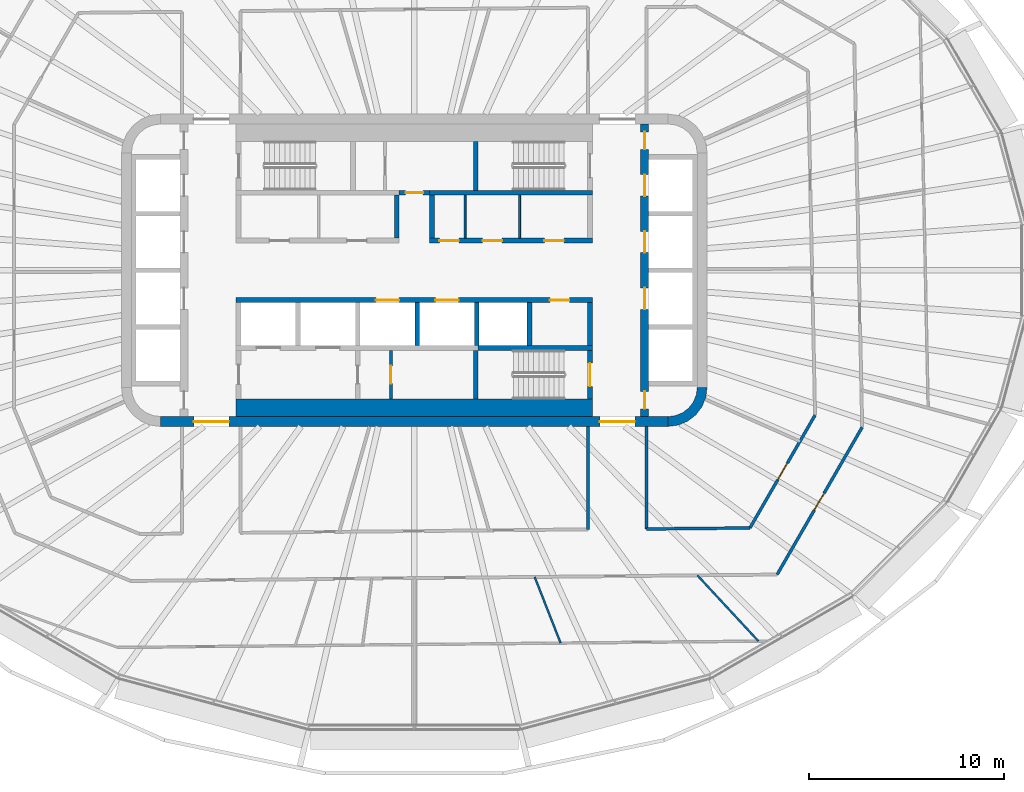
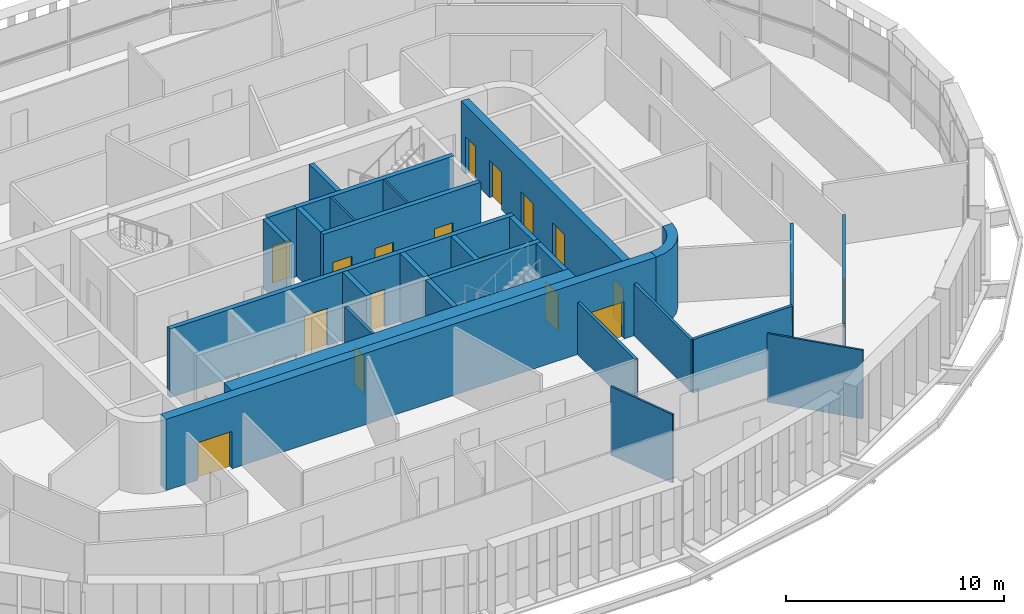
# One storey, part 13 of 23: 28 walls, 18 doors, 18 openings.
"""IFC4 building model written with IfcOpenShell, lengths in metres."""

import ifcopenshell
import ifcopenshell.guid

model = None  # the IFC model being written
_history = None  # IfcOwnerHistory: only IFC2X3 demands one
_inside = {}  # id of a spatial element -> (the spatial element, [elements in it])
_under = {}  # id of a project, library or spatial element -> (it, [spatial elements below it])
_declared = {}  # id of a project -> (the project, [libraries it declares])
_typed = {}  # id of a type object -> (the type object, [elements of that type])
_made_of = {}  # id of a material, layer set ... -> (it, [elements and type objects made of it])


def new_model(schema):
    """Start an empty IFC model of exactly this schema.

    Asked for "IFC4X3", IfcOpenShell would pick the latest addendum, in which some entities
    have other attributes; the version numbers below select the first issue.
    IFC2X3 requires an IfcOwnerHistory on every rooted entity: one is made here for all.
    """
    global model, _history
    if schema == "IFC4X3":
        model = ifcopenshell.file(schema_version=(4, 3, 0, 0))
    else:
        model = ifcopenshell.file(schema=schema)
    _inside.clear()
    _under.clear()
    _declared.clear()
    _typed.clear()
    _made_of.clear()
    _history = None
    if model.schema == "IFC2X3":
        org = make("IfcOrganization", Name="unknown")
        user = make(
            "IfcPersonAndOrganization",
            ThePerson=make("IfcPerson", FamilyName="unknown"),
            TheOrganization=org,
        )
        app = make(
            "IfcApplication",
            ApplicationDeveloper=org,
            Version="unknown",
            ApplicationFullName="unknown",
            ApplicationIdentifier="unknown",
        )
        _history = make(
            "IfcOwnerHistory",
            OwningUser=user,
            OwningApplication=app,
            ChangeAction="ADDED",
            CreationDate=0,
        )
    return model


def make(cls, **values):
    """One entity of the class cls with the attributes given. An attribute that is None is left unset."""
    return model.create_entity(
        cls, **{name: value for name, value in values.items() if value is not None}
    )


def rooted(cls, **values):
    """An entity with a GlobalId (a new one), such as an element, a storey or a relation."""
    return make(cls, GlobalId=ifcopenshell.guid.new(), OwnerHistory=_history, **values)


def si_unit(unit_type, name, prefix=None):
    """IfcSIUnit, for example si_unit("LENGTHUNIT", "METRE", prefix="MILLI")."""
    return make("IfcSIUnit", UnitType=unit_type, Prefix=prefix, Name=name)


def assignment(units):
    """IfcUnitAssignment: the units of a project."""
    return None if units is None else make("IfcUnitAssignment", Units=units)


def point(xyz):
    """IfcCartesianPoint."""
    return None if xyz is None else make("IfcCartesianPoint", Coordinates=xyz)


def direction(xyz):
    """IfcDirection."""
    return None if xyz is None else make("IfcDirection", DirectionRatios=xyz)


def frame(location, z_axis=None, x_axis=None):
    """IfcAxis2Placement3D, a coordinate frame: its origin and axes. An axis left out is left unset."""
    return make(
        "IfcAxis2Placement3D",
        Location=point(location),
        Axis=direction(z_axis),
        RefDirection=direction(x_axis),
    )


def frame_2d(location, x_axis=None):
    """IfcAxis2Placement2D, a coordinate frame in the plane: its origin and x axis."""
    return make(
        "IfcAxis2Placement2D", Location=point(location), RefDirection=direction(x_axis)
    )


def origin():
    """The frame at (0, 0, 0) with its axes left unset."""
    return frame((0.0, 0.0, 0.0))


def place(relative_to, where):
    """IfcLocalPlacement: puts the frame where relative to a parent placement (None: the world)."""
    return make(
        "IfcLocalPlacement", PlacementRelTo=relative_to, RelativePlacement=where
    )


def context(
    kind, dimensions, precision=None, world=None, true_north=None, identifier=None
):
    """IfcGeometricRepresentationContext, for example the 3D "Model" context."""
    return make(
        "IfcGeometricRepresentationContext",
        ContextIdentifier=identifier,
        ContextType=kind,
        CoordinateSpaceDimension=dimensions,
        Precision=precision,
        WorldCoordinateSystem=world,
        TrueNorth=true_north,
    )


def subcontext(parent, identifier, kind, view, scale=None):
    """IfcGeometricRepresentationSubContext, for example "Body" below "Model"."""
    return make(
        "IfcGeometricRepresentationSubContext",
        ContextIdentifier=identifier,
        ContextType=kind,
        ParentContext=parent,
        TargetScale=scale,
        TargetView=view,
    )


def project(units=None, contexts=None):
    """IfcProject with its units and contexts."""
    return rooted(
        "IfcProject",
        Name="project",
        RepresentationContexts=contexts,
        UnitsInContext=assignment(units),
    )


def spatial(cls, under=None, at=None, **own):
    """A site, building, storey or space (cls), placed at a placement, below another one or the project."""
    s = rooted(cls, ObjectPlacement=at, **own)
    if under is not None:
        _under.setdefault(under.id(), (under, []))[1].append(s)
    return s


def polyline(points):
    """IfcPolyline through the points."""
    return make("IfcPolyline", Points=[point(p) for p in points])


def profile(cls, at=None, kind="AREA", **sizes):
    """A parametric profile (cls). Its sizes go by their IFC names, for example OverallWidth=200.0."""
    return make(cls, ProfileType=kind, Position=at, **sizes)


def rectangle(**sizes):
    """IfcRectangleProfileDef."""
    return profile("IfcRectangleProfileDef", **sizes)


def outline(outer, holes=None, kind="AREA"):
    """IfcArbitraryClosedProfileDef: a profile drawn as a closed curve; with holes, ...WithVoids."""
    if holes is None:
        return make("IfcArbitraryClosedProfileDef", ProfileType=kind, OuterCurve=outer)
    return make(
        "IfcArbitraryProfileDefWithVoids",
        ProfileType=kind,
        OuterCurve=outer,
        InnerCurves=holes,
    )


def extrude(swept, where, along, depth):
    """IfcExtrudedAreaSolid: the profile swept, set in the frame where, extruded along a direction by depth."""
    return make(
        "IfcExtrudedAreaSolid",
        SweptArea=swept,
        Position=where,
        ExtrudedDirection=direction(along),
        Depth=depth,
    )


def shape(context_of_items, identifier, shape_type, items):
    """IfcShapeRepresentation: the items that make up one representation, for example the "Body"."""
    return make(
        "IfcShapeRepresentation",
        ContextOfItems=context_of_items,
        RepresentationIdentifier=identifier,
        RepresentationType=shape_type,
        Items=items,
    )


def material(Name=None, Category=None):
    """IfcMaterial."""
    return make("IfcMaterial", Name=Name, Category=Category)


def layer(
    of_material, thickness, ventilated=None, Name=None, Category=None, Priority=None
):
    """IfcMaterialLayer: one layer of a wall or slab, of a material (None: an air gap)."""
    return make(
        "IfcMaterialLayer",
        Material=of_material,
        LayerThickness=thickness,
        IsVentilated=ventilated,
        Name=Name,
        Category=Category,
        Priority=Priority,
    )


def layer_set(layers, Name=None):
    """IfcMaterialLayerSet."""
    return make("IfcMaterialLayerSet", MaterialLayers=layers, LayerSetName=Name)


def made_of(thing, what):
    """Note that an element or type object is made of a material, layer set ...; save() writes the relation."""
    if what is not None:
        _made_of.setdefault(what.id(), (what, []))[1].append(thing)
    return thing


def type_object(cls, material=None, **own):
    """A type object (cls), such as IfcWallType, which elements share."""
    return made_of(rooted(cls, **own), material)


def element(
    cls,
    number,
    at=None,
    inside=None,
    cuts=None,
    type_object=None,
    material=None,
    context=None,
    identifier="Body",
    shape_type=None,
    held_by="IfcProductDefinitionShape",
    body=None,
    shapes=None,
    **own,
):
    """One element of the class cls, such as IfcWall. Its Tag is "e" and its number.

    at: its placement. inside: the storey or other place that contains it. cuts: it is an
    opening in that element (IfcRelVoidsElement). A single representation is given by context,
    identifier, shape_type and body (its items); several are given by shapes. held_by: the class
    of the entity that holds the representations. save() writes the other relations.
    """
    e = rooted(cls, Tag="e%d" % number, ObjectPlacement=at, **own)
    if body is not None:
        shapes = [shape(context, identifier, shape_type, body)]
    if shapes is not None:
        e.Representation = make(held_by, Representations=shapes)
    if inside is not None:
        _inside.setdefault(inside.id(), (inside, []))[1].append(e)
    if cuts is not None:
        rooted(
            "IfcRelVoidsElement", RelatingBuildingElement=cuts, RelatedOpeningElement=e
        )
    if type_object is not None:
        _typed.setdefault(type_object.id(), (type_object, []))[1].append(e)
    return made_of(e, material)


def fill(opening, filler):
    """IfcRelFillsElement: the door or window that sits in an opening."""
    return rooted(
        "IfcRelFillsElement",
        RelatingOpeningElement=opening,
        RelatedBuildingElement=filler,
    )


def aggregate(whole, parts):
    """IfcRelAggregates: a whole, such as a stair, and the parts it consists of."""
    return rooted("IfcRelAggregates", RelatingObject=whole, RelatedObjects=parts)


def save(model, path):
    """Write the relations noted so far, then the file.

    IfcRelAggregates (storeys below a building ...), IfcRelContainedInSpatialStructure (elements
    in a storey), IfcRelDefinesByType, IfcRelAssociatesMaterial and IfcRelDeclares: one each for
    every whole, place, type object, material and project.
    """
    for whole, parts in _under.values():
        aggregate(whole, parts)
    for where, things in _inside.values():
        rooted(
            "IfcRelContainedInSpatialStructure",
            RelatedElements=things,
            RelatingStructure=where,
        )
    for kind, things in _typed.values():
        rooted("IfcRelDefinesByType", RelatedObjects=things, RelatingType=kind)
    for what, things in _made_of.values():
        rooted("IfcRelAssociatesMaterial", RelatedObjects=things, RelatingMaterial=what)
    for by, libraries in _declared.values():
        rooted("IfcRelDeclares", RelatingContext=by, RelatedDefinitions=libraries)
    model.write(path)


model = new_model("IFC4")

# Units and contexts
model_context = context("Model", 3, precision=1e-05, world=origin(), true_north=direction((0.0, 1.0)))
body_context = subcontext(model_context, "Body", "Model", "MODEL_VIEW")
ifc_project = project(units=[si_unit("LENGTHUNIT", "METRE"), si_unit("AREAUNIT", "SQUARE_METRE"), si_unit("VOLUMEUNIT", "CUBIC_METRE"), si_unit("PLANEANGLEUNIT", "RADIAN"), si_unit("MASSUNIT", "GRAM", prefix="KILO")], contexts=[model_context])

# Site, building, storey
site_placement = place(None, origin())
site = spatial("IfcSite", under=ifc_project, at=site_placement, CompositionType="ELEMENT")
building_placement = place(site_placement, origin())
building = spatial("IfcBuilding", under=site, at=building_placement, Name="Sahrelin Media Tower", CompositionType="ELEMENT")
storey_placement = place(building_placement, frame((0.0, 0.0, 157.60009765625)))
storey = spatial("IfcBuildingStorey", under=building, at=storey_placement, Name="L32", CompositionType="ELEMENT", Elevation=157.60009765625)

# Wall, openings, doors
ifc_material_1 = material(Name="Concrete C60/75", Category="concrete")
ifc_layer_1 = layer(ifc_material_1, 0.5)
ifc_layer_set_1 = layer_set([ifc_layer_1], Name="Core wall 500")
wall_type_1 = type_object("IfcWallType", Name="Core wall 500", PredefinedType="SHEAR", material=ifc_layer_set_1)
wall_1_placement = place(storey_placement, frame((-13.0, -7.75, 0.0), z_axis=(0.0, 0.0, 1.0), x_axis=(1.0, 0.0, 0.0)))
wall_1 = element("IfcWall", 1, at=wall_1_placement, inside=storey, type_object=wall_type_1, Name="Core wall S L32", PredefinedType="SHEAR", context=body_context, shape_type="SweptSolid", body=[
    extrude(rectangle(XDim=26.0, YDim=0.5, at=frame_2d((13.0, 0.0))), origin(), (0.0, 0.0, 1.0), 4.0),
])
opening_1_placement = place(wall_1_placement, frame((1.699951171875, 0.0, 0.0)))
opening_1 = element("IfcOpeningElement", 2, at=opening_1_placement, cuts=wall_1, Name="Opening L32-D21", PredefinedType="OPENING", context=body_context, shape_type="SweptSolid", body=[
    extrude(rectangle(XDim=1.800048828125, YDim=2.10009765625, at=frame_2d((0.89990234375, 1.050048828125))), frame((0.0, 0.25, 0.0), z_axis=(0.0, -1.0, 0.0), x_axis=(1.0, 0.0, 0.0)), (0.0, 0.0, 1.0), 0.5),
])
opening_2_placement = place(wall_1_placement, frame((22.5, 0.0, 0.0)))
opening_2 = element("IfcOpeningElement", 3, at=opening_2_placement, cuts=wall_1, Name="Opening L32-D22", PredefinedType="OPENING", context=body_context, shape_type="SweptSolid", body=[
    extrude(rectangle(XDim=1.800048828125, YDim=2.10009765625, at=frame_2d((0.89990234375, 1.050048828125))), frame((0.0, 0.25, 0.0), z_axis=(0.0, -1.0, 0.0), x_axis=(1.0, 0.0, 0.0)), (0.0, 0.0, 1.0), 0.5),
])
ifc_material_2 = material(Name="Steel fire door leaf", Category="steel")
door_type_1 = type_object("IfcDoorType", Name="Lobby double door 1800 x 2100 EI 60", OperationType="DOUBLE_DOOR_SINGLE_SWING", PredefinedType="DOOR", material=ifc_material_2)
door_1_placement = place(opening_1_placement, origin())
door_1 = element("IfcDoor", 4, at=door_1_placement, inside=storey, type_object=door_type_1, Name="Lobby door", OperationType="DOUBLE_DOOR_SINGLE_SWING", OverallHeight=2.10009765625, OverallWidth=1.800048828125, PredefinedType="DOOR", context=body_context, shape_type="SweptSolid", body=[
    extrude(rectangle(XDim=1.800048828125, YDim=2.10009765625, at=frame_2d((0.89990234375, 1.050048828125))), frame((0.0, 0.02490234375, 0.0), z_axis=(0.0, -1.0, 0.0), x_axis=(1.0, 0.0, 0.0)), (0.0, 0.0, 1.0), 0.050048828125),
])
fill(opening_1, door_1)
door_2_placement = place(opening_2_placement, origin())
door_2 = element("IfcDoor", 5, at=door_2_placement, inside=storey, type_object=door_type_1, Name="Lobby door", OperationType="DOUBLE_DOOR_SINGLE_SWING", OverallHeight=2.10009765625, OverallWidth=1.800048828125, PredefinedType="DOOR", context=body_context, shape_type="SweptSolid", body=[
    extrude(rectangle(XDim=1.800048828125, YDim=2.10009765625, at=frame_2d((0.89990234375, 1.050048828125))), frame((0.0, 0.02490234375, 0.0), z_axis=(0.0, -1.0, 0.0), x_axis=(1.0, 0.0, 0.0)), (0.0, 0.0, 1.0), 0.050048828125),
])
fill(opening_2, door_2)

# Wall
wall_2_placement = place(storey_placement, origin())
element("IfcWall", 6, at=wall_2_placement, inside=storey, type_object=wall_type_1, Name="Core wall corner SE L32", PredefinedType="SHEAR", context=body_context, shape_type="SweptSolid", body=[
    extrude(outline(polyline([(15.0, -6.0), (14.49560546875, -6.0), (14.44482421875, -6.38720703125), (14.29541015625, -6.747802734375), (14.0576171875, -7.0576171875), (13.747802734375, -7.29541015625), (13.38720703125, -7.44482421875), (13.0, -7.49560546875), (13.0, -8.0), (13.517578125, -7.931884765625), (14.0, -7.732177734375), (14.414306640625, -7.414306640625), (14.732177734375, -7.0), (14.931884765625, -6.517578125), (15.0, -6.0)])), origin(), (0.0, 0.0, 1.0), 4.0),
])

# Wall, opening, door
ifc_material_3 = material(Name="Fire-rated gypsum board partition")
ifc_layer_2 = layer(ifc_material_3, 0.25)
ifc_layer_set_2 = layer_set([ifc_layer_2], Name="Fire-rated lobby wall 250")
wall_type_2 = type_object("IfcWallType", Name="Fire-rated lobby wall 250", PredefinedType="PARTITIONING", material=ifc_layer_set_2)
wall_3_placement = place(storey_placement, frame((-0.77490234375, 3.97509765625, 0.0), z_axis=(0.0, 0.0, 1.0), x_axis=(1.0, 0.0, 0.0)))
wall_3 = element("IfcWall", 7, at=wall_3_placement, inside=storey, type_object=wall_type_2, Name="Core lobby wall", PredefinedType="PARTITIONING", context=body_context, shape_type="SweptSolid", body=[
    extrude(rectangle(XDim=1.5498046875, YDim=0.25, at=frame_2d((0.77490234375, 0.0))), origin(), (0.0, 0.0, 1.0), 3.849853515625),
])
opening_3_placement = place(wall_3_placement, frame((0.324951171875, 0.0, 0.0)))
opening_3 = element("IfcOpeningElement", 8, at=opening_3_placement, cuts=wall_3, Name="Opening L32-D06", PredefinedType="OPENING", context=body_context, shape_type="SweptSolid", body=[
    extrude(rectangle(XDim=0.89990234375, YDim=2.10009765625, at=frame_2d((0.449951171875, 1.050048828125))), frame((0.0, 0.125, 0.0), z_axis=(0.0, -1.0, 0.0), x_axis=(1.0, 0.0, 0.0)), (0.0, 0.0, 1.0), 0.25),
])
door_type_2 = type_object("IfcDoorType", Name="Riser door 900 x 2100 EI 120", OperationType="NOTDEFINED", PredefinedType="DOOR", material=ifc_material_2)
door_3_placement = place(opening_3_placement, origin())
door_3 = element("IfcDoor", 9, at=door_3_placement, inside=storey, type_object=door_type_2, Name="Core room door", OperationType="SINGLE_SWING_LEFT", OverallHeight=2.10009765625, OverallWidth=0.89990234375, PredefinedType="DOOR", context=body_context, shape_type="SweptSolid", body=[
    extrude(rectangle(XDim=0.89990234375, YDim=2.10009765625, at=frame_2d((0.449951171875, 1.050048828125))), frame((0.0, 0.02490234375, 0.0), z_axis=(0.0, -1.0, 0.0), x_axis=(1.0, 0.0, 0.0)), (0.0, 0.0, 1.0), 0.050048828125),
])
fill(opening_3, door_3)

# Wall, openings, doors
wall_4_placement = place(storey_placement, frame((0.77490234375, 1.52490234375, 0.0), z_axis=(0.0, 0.0, 1.0), x_axis=(1.0, 0.0, 0.0)))
wall_4 = element("IfcWall", 10, at=wall_4_placement, inside=storey, type_object=wall_type_2, Name="Core lobby wall", PredefinedType="PARTITIONING", context=body_context, shape_type="SweptSolid", body=[
    extrude(rectangle(XDim=8.35009765625, YDim=0.25, at=frame_2d((4.175048828125, 0.0))), origin(), (0.0, 0.0, 1.0), 3.849853515625),
])
opening_4_placement = place(wall_4_placement, frame((0.512451171875, 0.0, 0.0)))
opening_4 = element("IfcOpeningElement", 11, at=opening_4_placement, cuts=wall_4, Name="Opening L32-D11", PredefinedType="OPENING", context=body_context, shape_type="SweptSolid", body=[
    extrude(rectangle(XDim=1.0, YDim=2.10009765625, at=frame_2d((0.5, 1.050048828125))), frame((0.0, 0.125, 0.0), z_axis=(0.0, -1.0, 0.0), x_axis=(1.0, 0.0, 0.0)), (0.0, 0.0, 1.0), 0.25),
])
opening_5_placement = place(wall_4_placement, frame((2.72509765625, 0.0, 0.0)))
opening_5 = element("IfcOpeningElement", 12, at=opening_5_placement, cuts=wall_4, Name="Opening L32-D12", PredefinedType="OPENING", context=body_context, shape_type="SweptSolid", body=[
    extrude(rectangle(XDim=1.0, YDim=2.10009765625, at=frame_2d((0.5, 1.050048828125))), frame((0.0, 0.125, 0.0), z_axis=(0.0, -1.0, 0.0), x_axis=(1.0, 0.0, 0.0)), (0.0, 0.0, 1.0), 0.25),
])
opening_6_placement = place(wall_4_placement, frame((5.887451171875, 0.0, 0.0)))
opening_6 = element("IfcOpeningElement", 13, at=opening_6_placement, cuts=wall_4, Name="Opening L32-D13", PredefinedType="OPENING", context=body_context, shape_type="SweptSolid", body=[
    extrude(rectangle(XDim=1.0, YDim=2.10009765625, at=frame_2d((0.5, 1.050048828125))), frame((0.0, 0.125, 0.0), z_axis=(0.0, -1.0, 0.0), x_axis=(1.0, 0.0, 0.0)), (0.0, 0.0, 1.0), 0.25),
])
door_type_3 = type_object("IfcDoorType", Name="Fire door 1000 x 2100 EI 60", OperationType="NOTDEFINED", PredefinedType="DOOR", material=ifc_material_2)
door_4_placement = place(opening_4_placement, origin())
door_4 = element("IfcDoor", 14, at=door_4_placement, inside=storey, type_object=door_type_3, Name="Core room door", OperationType="SINGLE_SWING_LEFT", OverallHeight=2.10009765625, OverallWidth=1.0, PredefinedType="DOOR", context=body_context, shape_type="SweptSolid", body=[
    extrude(rectangle(XDim=1.0, YDim=2.10009765625, at=frame_2d((0.5, 1.050048828125))), frame((0.0, 0.02490234375, 0.0), z_axis=(0.0, -1.0, 0.0), x_axis=(1.0, 0.0, 0.0)), (0.0, 0.0, 1.0), 0.050048828125),
])
fill(opening_4, door_4)
door_5_placement = place(opening_5_placement, origin())
door_5 = element("IfcDoor", 15, at=door_5_placement, inside=storey, type_object=door_type_3, Name="Core room door", OperationType="SINGLE_SWING_LEFT", OverallHeight=2.10009765625, OverallWidth=1.0, PredefinedType="DOOR", context=body_context, shape_type="SweptSolid", body=[
    extrude(rectangle(XDim=1.0, YDim=2.10009765625, at=frame_2d((0.5, 1.050048828125))), frame((0.0, 0.02490234375, 0.0), z_axis=(0.0, -1.0, 0.0), x_axis=(1.0, 0.0, 0.0)), (0.0, 0.0, 1.0), 0.050048828125),
])
fill(opening_5, door_5)
door_6_placement = place(opening_6_placement, origin())
door_6 = element("IfcDoor", 16, at=door_6_placement, inside=storey, type_object=door_type_3, Name="Core room door", OperationType="SINGLE_SWING_LEFT", OverallHeight=2.10009765625, OverallWidth=1.0, PredefinedType="DOOR", context=body_context, shape_type="SweptSolid", body=[
    extrude(rectangle(XDim=1.0, YDim=2.10009765625, at=frame_2d((0.5, 1.050048828125))), frame((0.0, 0.02490234375, 0.0), z_axis=(0.0, -1.0, 0.0), x_axis=(1.0, 0.0, 0.0)), (0.0, 0.0, 1.0), 0.050048828125),
])
fill(opening_6, door_6)

# Walls
for number, where, z_axis, x_axis, name in (
    (17, (-0.89990234375, 1.64990234375, 0.0), (0.0, 0.0, 1.0), (0.0, 1.0, 0.0), "Core lobby wall"),
    (18, (0.89990234375, 1.64990234375, 0.0), (0.0, 0.0, 1.0), (0.0, 1.0, 0.0), "Core lobby wall"),
):
    element("IfcWall", number, at=place(storey_placement, frame(where, z_axis=z_axis, x_axis=x_axis)), inside=storey, type_object=wall_type_2, Name=name, PredefinedType="PARTITIONING", context=body_context, shape_type="SweptSolid", body=[
        extrude(rectangle(XDim=2.2001953125, YDim=0.25, at=frame_2d((1.10009765625, 0.0))), origin(), (0.0, 0.0, 1.0), 3.849853515625),
    ])
ifc_layer_3 = layer(ifc_material_3, 0.10009765625)
ifc_layer_set_3 = layer_set([ifc_layer_3], Name="Fire-rated partition 100")
wall_type_3 = type_object("IfcWallType", Name="Fire-rated partition 100", PredefinedType="PARTITIONING", material=ifc_layer_set_3)
for number, where, z_axis, x_axis, name in (
    (19, (2.60009765625, 1.64990234375, 0.0), (0.0, 0.0, 1.0), (0.0, 1.0, 0.0), "Core room partition"),
    (20, (5.39990234375, 1.64990234375, 0.0), (0.0, 0.0, 1.0), (0.0, 1.0, 0.0), "Core room partition"),
):
    element("IfcWall", number, at=place(storey_placement, frame(where, z_axis=z_axis, x_axis=x_axis)), inside=storey, type_object=wall_type_3, Name=name, PredefinedType="PARTITIONING", context=body_context, shape_type="SweptSolid", body=[
        extrude(rectangle(XDim=2.2001953125, YDim=0.10009765625, at=frame_2d((1.10009765625, 0.0))), origin(), (0.0, 0.0, 1.0), 3.849853515625),
    ])

# Wall, opening, door
ifc_layer_4 = layer(ifc_material_3, 0.14990234375)
ifc_layer_set_4 = layer_set([ifc_layer_4], Name="Fire-rated partition 150")
wall_type_4 = type_object("IfcWallType", Name="Fire-rated partition 150", PredefinedType="PARTITIONING", material=ifc_layer_set_4)
wall_5_placement = place(storey_placement, frame((-1.199951171875, -6.60009765625, 0.0), z_axis=(0.0, 0.0, 1.0), x_axis=(0.0, 1.0, 0.0)))
wall_5 = element("IfcWall", 21, at=wall_5_placement, inside=storey, type_object=wall_type_4, Name="Core room fire partition", PredefinedType="PARTITIONING", context=body_context, shape_type="SweptSolid", body=[
    extrude(rectangle(XDim=2.5, YDim=0.14990234375, at=frame_2d((1.25, 0.0))), origin(), (0.0, 0.0, 1.0), 3.849853515625),
])
opening_7_placement = place(wall_5_placement, frame((0.800048828125, 0.0, 0.0)))
opening_7 = element("IfcOpeningElement", 22, at=opening_7_placement, cuts=wall_5, Name="Opening L32-D08", PredefinedType="OPENING", context=body_context, shape_type="SweptSolid", body=[
    extrude(rectangle(XDim=0.89990234375, YDim=2.10009765625, at=frame_2d((0.449951171875, 1.050048828125))), frame((0.0, 0.074951171875, 0.0), z_axis=(0.0, -1.0, 0.0), x_axis=(1.0, 0.0, 0.0)), (0.0, 0.0, 1.0), 0.14990234375),
])
door_type_4 = type_object("IfcDoorType", Name="Fire door 900 x 2100 EI 60", OperationType="NOTDEFINED", PredefinedType="DOOR", material=ifc_material_2)
door_7_placement = place(opening_7_placement, origin())
door_7 = element("IfcDoor", 23, at=door_7_placement, inside=storey, type_object=door_type_4, Name="Core room door", OperationType="SINGLE_SWING_RIGHT", OverallHeight=2.10009765625, OverallWidth=0.89990234375, PredefinedType="DOOR", context=body_context, shape_type="SweptSolid", body=[
    extrude(rectangle(XDim=0.89990234375, YDim=2.10009765625, at=frame_2d((0.449951171875, 1.050048828125))), frame((0.0, 0.02490234375, 0.0), z_axis=(0.0, -1.0, 0.0), x_axis=(1.0, 0.0, 0.0)), (0.0, 0.0, 1.0), 0.050048828125),
])
fill(opening_7, door_7)

# Wall
wall_6_placement = place(storey_placement, frame((11.89990234375, -13.2529296875, 0.0), z_axis=(0.0, 0.0, 1.0), x_axis=(0.999950853109, 0.009914200296, 0.0)))
element("IfcWall", 24, at=wall_6_placement, inside=storey, type_object=wall_type_4, Name="Wall", PredefinedType="PARTITIONING", context=body_context, shape_type="SweptSolid", body=[
    extrude(rectangle(XDim=5.29443359375, YDim=0.14990234375, at=frame_2d((2.647216796875, 0.0))), origin(), (0.0, 0.0, 1.0), 2.994873046875),
])

# Wall, opening, door
wall_7_placement = place(storey_placement, frame((18.5869140625, -15.5869140625, 0.0), z_axis=(0.0, 0.0, 1.0), x_axis=(0.500005419212, 0.866022274979, 0.0)))
wall_7 = element("IfcWall", 25, at=wall_7_placement, inside=storey, type_object=wall_type_4, Name="Wall", PredefinedType="PARTITIONING", context=body_context, shape_type="SweptSolid", body=[
    extrude(rectangle(XDim=8.71337890625, YDim=0.14990234375, at=frame_2d((4.356689453125, 0.0))), origin(), (0.0, 0.0, 1.0), 2.927001953125),
])
opening_8_placement = place(wall_7_placement, frame((3.8076171875, 0.0, 0.0)))
opening_8 = element("IfcOpeningElement", 26, at=opening_8_placement, cuts=wall_7, Name="Opening L32-D51", PredefinedType="OPENING", context=body_context, shape_type="SweptSolid", body=[
    extrude(rectangle(XDim=1.0, YDim=2.10009765625, at=frame_2d((0.5, 1.050048828125))), frame((0.0, 0.074951171875, 0.0), z_axis=(0.0, -1.0, 0.0), x_axis=(1.0, 0.0, 0.0)), (0.0, 0.0, 1.0), 0.14990234375),
])
door_8_placement = place(opening_8_placement, origin())
door_8 = element("IfcDoor", 27, at=door_8_placement, inside=storey, type_object=door_type_3, Name="Fire door", OperationType="SINGLE_SWING_LEFT", OverallHeight=2.10009765625, OverallWidth=1.0, PredefinedType="DOOR", context=body_context, shape_type="SweptSolid", body=[
    extrude(rectangle(XDim=1.0, YDim=2.10009765625, at=frame_2d((0.5, 1.050048828125))), frame((0.0, 0.02490234375, 0.0), z_axis=(0.0, -1.0, 0.0), x_axis=(1.0, 0.0, 0.0)), (0.0, 0.0, 1.0), 0.050048828125),
])
fill(opening_8, door_8)

wall_8_placement = place(storey_placement, frame((17.194091796875, -13.200927734375, 0.0), z_axis=(0.0, 0.0, 1.0), x_axis=(0.499983182885, 0.866035112932, 0.0)))
wall_8 = element("IfcWall", 28, at=wall_8_placement, inside=storey, type_object=wall_type_4, Name="Wall", PredefinedType="PARTITIONING", context=body_context, shape_type="SweptSolid", body=[
    extrude(rectangle(XDim=6.673583984375, YDim=0.14990234375, at=frame_2d((3.3369140625, 0.0))), origin(), (0.0, 0.0, 1.0), 2.927001953125),
])
opening_9_placement = place(wall_8_placement, frame((2.833740234375, 0.0, 0.0)))
opening_9 = element("IfcOpeningElement", 29, at=opening_9_placement, cuts=wall_8, Name="Opening L32-D26", PredefinedType="OPENING", context=body_context, shape_type="SweptSolid", body=[
    extrude(rectangle(XDim=1.0, YDim=2.10009765625, at=frame_2d((0.5, 1.050048828125))), frame((0.0, 0.074951171875, 0.0), z_axis=(0.0, -1.0, 0.0), x_axis=(1.0, 0.0, 0.0)), (0.0, 0.0, 1.0), 0.14990234375),
])
door_9_placement = place(opening_9_placement, origin())
door_9 = element("IfcDoor", 30, at=door_9_placement, inside=storey, type_object=door_type_3, Name="Fire door", OperationType="SINGLE_SWING_LEFT", OverallHeight=2.10009765625, OverallWidth=1.0, PredefinedType="DOOR", context=body_context, shape_type="SweptSolid", body=[
    extrude(rectangle(XDim=1.0, YDim=2.10009765625, at=frame_2d((0.5, 1.050048828125))), frame((0.0, 0.02490234375, 0.0), z_axis=(0.0, -1.0, 0.0), x_axis=(1.0, 0.0, 0.0)), (0.0, 0.0, 1.0), 0.050048828125),
])
fill(opening_9, door_9)

# Walls
wall_9_placement = place(storey_placement, frame((11.89990234375, -13.2529296875, 0.0), z_axis=(0.0, 0.0, 1.0), x_axis=(0.0, 1.0, 0.0)))
element("IfcWall", 31, at=wall_9_placement, inside=storey, type_object=wall_type_4, Name="Wall", PredefinedType="PARTITIONING", context=body_context, shape_type="SweptSolid", body=[
    extrude(rectangle(XDim=5.2529296875, YDim=0.14990234375, at=frame_2d((2.62646484375, 0.0))), origin(), (0.0, 0.0, 1.0), 2.927001953125),
])
wall_10_placement = place(storey_placement, frame((8.89990234375, -13.282958984375, 0.0), z_axis=(0.0, 0.0, 1.0), x_axis=(0.0, 1.0, 0.0)))
element("IfcWall", 32, at=wall_10_placement, inside=storey, type_object=wall_type_4, Name="Wall", PredefinedType="PARTITIONING", context=body_context, shape_type="SweptSolid", body=[
    extrude(rectangle(XDim=5.282958984375, YDim=0.14990234375, at=frame_2d((2.6416015625, 0.0))), origin(), (0.0, 0.0, 1.0), 2.927001953125),
])

# Wall, openings, doors
ifc_layer_5 = layer(ifc_material_1, 0.25)
ifc_layer_set_5 = layer_set([ifc_layer_5], Name="Lift shaft wall 250")
wall_type_5 = type_object("IfcWallType", Name="Lift shaft wall 250", PredefinedType="SOLIDWALL", material=ifc_layer_set_5)
wall_11_placement = place(storey_placement, frame((-9.125, -1.52490234375, 0.0), z_axis=(0.0, 0.0, 1.0), x_axis=(1.0, 0.0, 0.0)))
wall_11 = element("IfcWall", 33, at=wall_11_placement, inside=storey, type_object=wall_type_5, Name="Lift shaft wall", PredefinedType="SOLIDWALL", context=body_context, shape_type="SweptSolid", body=[
    extrude(rectangle(XDim=18.25, YDim=0.25, at=frame_2d((9.125, 0.0))), origin(), (0.0, 0.0, 1.0), 3.849853515625),
])
opening_10_placement = place(wall_11_placement, frame((7.14990234375, 0.0, 0.0)))
opening_10 = element("IfcOpeningElement", 34, at=opening_10_placement, cuts=wall_11, Name="Opening L32-LD-SV1", PredefinedType="OPENING", context=body_context, shape_type="SweptSolid", body=[
    extrude(rectangle(XDim=1.199951171875, YDim=2.10009765625, at=frame_2d((0.60009765625, 1.050048828125))), frame((0.0, 0.125, 0.0), z_axis=(0.0, -1.0, 0.0), x_axis=(1.0, 0.0, 0.0)), (0.0, 0.0, 1.0), 0.25),
])
opening_11_placement = place(wall_11_placement, frame((10.199951171875, 0.0, 0.0)))
opening_11 = element("IfcOpeningElement", 35, at=opening_11_placement, cuts=wall_11, Name="Opening L32-LD-SV2", PredefinedType="OPENING", context=body_context, shape_type="SweptSolid", body=[
    extrude(rectangle(XDim=1.199951171875, YDim=2.10009765625, at=frame_2d((0.60009765625, 1.050048828125))), frame((0.0, 0.125, 0.0), z_axis=(0.0, -1.0, 0.0), x_axis=(1.0, 0.0, 0.0)), (0.0, 0.0, 1.0), 0.25),
])
opening_12_placement = place(wall_11_placement, frame((16.074951171875, 0.0, 0.0)))
opening_12 = element("IfcOpeningElement", 36, at=opening_12_placement, cuts=wall_11, Name="Opening L32-D14", PredefinedType="OPENING", context=body_context, shape_type="SweptSolid", body=[
    extrude(rectangle(XDim=1.0, YDim=2.10009765625, at=frame_2d((0.5, 1.050048828125))), frame((0.0, 0.125, 0.0), z_axis=(0.0, -1.0, 0.0), x_axis=(1.0, 0.0, 0.0)), (0.0, 0.0, 1.0), 0.25),
])
door_10_placement = place(opening_12_placement, origin())
door_10 = element("IfcDoor", 37, at=door_10_placement, inside=storey, type_object=door_type_3, Name="Core room door", OperationType="SINGLE_SWING_RIGHT", OverallHeight=2.10009765625, OverallWidth=1.0, PredefinedType="DOOR", context=body_context, shape_type="SweptSolid", body=[
    extrude(rectangle(XDim=1.0, YDim=2.10009765625, at=frame_2d((0.5, 1.050048828125))), frame((0.0, 0.02490234375, 0.0), z_axis=(0.0, -1.0, 0.0), x_axis=(1.0, 0.0, 0.0)), (0.0, 0.0, 1.0), 0.050048828125),
])
fill(opening_12, door_10)
ifc_material_4 = material(Name="Stainless steel", Category="steel")
door_type_5 = type_object("IfcDoorType", Name="Lift landing door 1200 x 2100 EI 120", OperationType="DOUBLE_DOOR_SLIDING", PredefinedType="DOOR", material=ifc_material_4)
door_11_placement = place(opening_10_placement, origin())
door_11 = element("IfcDoor", 38, at=door_11_placement, inside=storey, type_object=door_type_5, Name="Lift landing door SV1", OperationType="DOUBLE_DOOR_SLIDING", OverallHeight=2.10009765625, OverallWidth=1.199951171875, PredefinedType="DOOR", context=body_context, shape_type="SweptSolid", body=[
    extrude(rectangle(XDim=1.199951171875, YDim=2.10009765625, at=frame_2d((0.60009765625, 1.050048828125))), frame((0.0, 0.02490234375, 0.0), z_axis=(0.0, -1.0, 0.0), x_axis=(1.0, 0.0, 0.0)), (0.0, 0.0, 1.0), 0.050048828125),
])
fill(opening_10, door_11)
door_12_placement = place(opening_11_placement, origin())
door_12 = element("IfcDoor", 39, at=door_12_placement, inside=storey, type_object=door_type_5, Name="Lift landing door SV2", OperationType="DOUBLE_DOOR_SLIDING", OverallHeight=2.10009765625, OverallWidth=1.199951171875, PredefinedType="DOOR", context=body_context, shape_type="SweptSolid", body=[
    extrude(rectangle(XDim=1.199951171875, YDim=2.10009765625, at=frame_2d((0.60009765625, 1.050048828125))), frame((0.0, 0.02490234375, 0.0), z_axis=(0.0, -1.0, 0.0), x_axis=(1.0, 0.0, 0.0)), (0.0, 0.0, 1.0), 0.050048828125),
])
fill(opening_11, door_12)

# Walls
wall_12_placement = place(storey_placement, frame((3.27490234375, -3.97509765625, 0.0), z_axis=(0.0, 0.0, 1.0), x_axis=(1.0, 0.0, 0.0)))
element("IfcWall", 40, at=wall_12_placement, inside=storey, type_object=wall_type_5, Name="Lift shaft wall", PredefinedType="SOLIDWALL", context=body_context, shape_type="SweptSolid", body=[
    extrude(rectangle(XDim=5.85009765625, YDim=0.25, at=frame_2d((2.925048828125, 0.0))), origin(), (0.0, 0.0, 1.0), 3.849853515625),
])
for number, where, z_axis, x_axis, name in (
    (41, (0.14990234375, -3.85009765625, 0.0), (0.0, 0.0, 1.0), (0.0, 1.0, 0.0), "Lift shaft wall"),
    (42, (3.199951171875, -3.85009765625, 0.0), (0.0, 0.0, 1.0), (0.0, 1.0, 0.0), "Lift shaft wall"),
    (43, (5.89990234375, -3.85009765625, 0.0), (0.0, 0.0, 1.0), (0.0, 1.0, 0.0), "Lift shaft wall"),
    (44, (9.0, -3.85009765625, 0.0), (0.0, 0.0, 1.0), (0.0, 1.0, 0.0), "Lift shaft wall"),
):
    element("IfcWall", number, at=place(storey_placement, frame(where, z_axis=z_axis, x_axis=x_axis)), inside=storey, type_object=wall_type_5, Name=name, PredefinedType="SOLIDWALL", context=body_context, shape_type="SweptSolid", body=[
        extrude(rectangle(XDim=2.2001953125, YDim=0.25, at=frame_2d((1.10009765625, 0.0))), origin(), (0.0, 0.0, 1.0), 3.849853515625),
    ])

# Wall, openings, doors
ifc_layer_6 = layer(ifc_material_1, 0.39990234375)
ifc_layer_set_6 = layer_set([ifc_layer_6], Name="Lift shaft wall 400")
wall_type_6 = type_object("IfcWallType", Name="Lift shaft wall 400", PredefinedType="SOLIDWALL", material=ifc_layer_set_6)
wall_13_placement = place(storey_placement, frame((11.800048828125, -7.5, 0.0), z_axis=(0.0, 0.0, 1.0), x_axis=(0.0, 1.0, 0.0)))
wall_13 = element("IfcWall", 45, at=wall_13_placement, inside=storey, type_object=wall_type_6, Name="Lift shaft wall", PredefinedType="SOLIDWALL", context=body_context, shape_type="SweptSolid", body=[
    extrude(rectangle(XDim=15.0, YDim=0.39990234375, at=frame_2d((7.5, 0.0))), origin(), (0.0, 0.0, 1.0), 3.849853515625),
])
opening_13_placement = place(wall_13_placement, frame((11.300048828125, 0.0, 0.0)))
opening_13 = element("IfcOpeningElement", 46, at=opening_13_placement, cuts=wall_13, Name="Opening L32-LD-LR4", PredefinedType="OPENING", context=body_context, shape_type="SweptSolid", body=[
    extrude(rectangle(XDim=1.10009765625, YDim=2.10009765625, at=frame_2d((0.550048828125, 1.050048828125))), frame((0.0, 0.199951171875, 0.0), z_axis=(0.0, -1.0, 0.0), x_axis=(1.0, 0.0, 0.0)), (0.0, 0.0, 1.0), 0.39990234375),
])
opening_14_placement = place(wall_13_placement, frame((8.39990234375, 0.0, 0.0)))
opening_14 = element("IfcOpeningElement", 47, at=opening_14_placement, cuts=wall_13, Name="Opening L32-LD-LR5", PredefinedType="OPENING", context=body_context, shape_type="SweptSolid", body=[
    extrude(rectangle(XDim=1.10009765625, YDim=2.10009765625, at=frame_2d((0.550048828125, 1.050048828125))), frame((0.0, 0.199951171875, 0.0), z_axis=(0.0, -1.0, 0.0), x_axis=(1.0, 0.0, 0.0)), (0.0, 0.0, 1.0), 0.39990234375),
])
opening_15_placement = place(wall_13_placement, frame((5.5, 0.0, 0.0)))
opening_15 = element("IfcOpeningElement", 48, at=opening_15_placement, cuts=wall_13, Name="Opening L32-LD-LR6", PredefinedType="OPENING", context=body_context, shape_type="SweptSolid", body=[
    extrude(rectangle(XDim=1.10009765625, YDim=2.10009765625, at=frame_2d((0.550048828125, 1.050048828125))), frame((0.0, 0.199951171875, 0.0), z_axis=(0.0, -1.0, 0.0), x_axis=(1.0, 0.0, 0.0)), (0.0, 0.0, 1.0), 0.39990234375),
])
opening_16_placement = place(wall_13_placement, frame((13.696533203125, 0.0, 0.0)))
opening_16 = element("IfcOpeningElement", 49, at=opening_16_placement, cuts=wall_13, Name="Opening L32-D17", PredefinedType="OPENING", context=body_context, shape_type="SweptSolid", body=[
    extrude(rectangle(XDim=0.89990234375, YDim=2.10009765625, at=frame_2d((0.449951171875, 1.050048828125))), frame((0.0, 0.199951171875, 0.0), z_axis=(0.0, -1.0, 0.0), x_axis=(1.0, 0.0, 0.0)), (0.0, 0.0, 1.0), 0.39990234375),
])
opening_17_placement = place(wall_13_placement, frame((0.4033203125, 0.0, 0.0)))
opening_17 = element("IfcOpeningElement", 50, at=opening_17_placement, cuts=wall_13, Name="Opening L32-D18", PredefinedType="OPENING", context=body_context, shape_type="SweptSolid", body=[
    extrude(rectangle(XDim=0.89990234375, YDim=2.10009765625, at=frame_2d((0.449951171875, 1.050048828125))), frame((0.0, 0.199951171875, 0.0), z_axis=(0.0, -1.0, 0.0), x_axis=(1.0, 0.0, 0.0)), (0.0, 0.0, 1.0), 0.39990234375),
])
door_type_6 = type_object("IfcDoorType", Name="Lift landing door 1100 x 2100 EI 120", OperationType="DOUBLE_DOOR_SLIDING", PredefinedType="DOOR", material=ifc_material_4)
door_13_placement = place(opening_13_placement, origin())
door_13 = element("IfcDoor", 51, at=door_13_placement, inside=storey, type_object=door_type_6, Name="Lift landing door LR4", OperationType="DOUBLE_DOOR_SLIDING", OverallHeight=2.10009765625, OverallWidth=1.10009765625, PredefinedType="DOOR", context=body_context, shape_type="SweptSolid", body=[
    extrude(rectangle(XDim=1.10009765625, YDim=2.10009765625, at=frame_2d((0.550048828125, 1.050048828125))), frame((0.0, 0.02490234375, 0.0), z_axis=(0.0, -1.0, 0.0), x_axis=(1.0, 0.0, 0.0)), (0.0, 0.0, 1.0), 0.050048828125),
])
fill(opening_13, door_13)
door_14_placement = place(opening_14_placement, origin())
door_14 = element("IfcDoor", 52, at=door_14_placement, inside=storey, type_object=door_type_6, Name="Lift landing door LR5", OperationType="DOUBLE_DOOR_SLIDING", OverallHeight=2.10009765625, OverallWidth=1.10009765625, PredefinedType="DOOR", context=body_context, shape_type="SweptSolid", body=[
    extrude(rectangle(XDim=1.10009765625, YDim=2.10009765625, at=frame_2d((0.550048828125, 1.050048828125))), frame((0.0, 0.02490234375, 0.0), z_axis=(0.0, -1.0, 0.0), x_axis=(1.0, 0.0, 0.0)), (0.0, 0.0, 1.0), 0.050048828125),
])
fill(opening_14, door_14)
door_15_placement = place(opening_15_placement, origin())
door_15 = element("IfcDoor", 53, at=door_15_placement, inside=storey, type_object=door_type_6, Name="Lift landing door LR6", OperationType="DOUBLE_DOOR_SLIDING", OverallHeight=2.10009765625, OverallWidth=1.10009765625, PredefinedType="DOOR", context=body_context, shape_type="SweptSolid", body=[
    extrude(rectangle(XDim=1.10009765625, YDim=2.10009765625, at=frame_2d((0.550048828125, 1.050048828125))), frame((0.0, 0.02490234375, 0.0), z_axis=(0.0, -1.0, 0.0), x_axis=(1.0, 0.0, 0.0)), (0.0, 0.0, 1.0), 0.050048828125),
])
fill(opening_15, door_15)
door_16_placement = place(opening_16_placement, origin())
door_16 = element("IfcDoor", 54, at=door_16_placement, inside=storey, type_object=door_type_2, Name="Riser door", OperationType="SINGLE_SWING_RIGHT", OverallHeight=2.10009765625, OverallWidth=0.89990234375, PredefinedType="DOOR", context=body_context, shape_type="SweptSolid", body=[
    extrude(rectangle(XDim=0.89990234375, YDim=2.10009765625, at=frame_2d((0.449951171875, 1.050048828125))), frame((0.0, 0.02490234375, 0.0), z_axis=(0.0, -1.0, 0.0), x_axis=(1.0, 0.0, 0.0)), (0.0, 0.0, 1.0), 0.050048828125),
])
fill(opening_16, door_16)
door_17_placement = place(opening_17_placement, origin())
door_17 = element("IfcDoor", 55, at=door_17_placement, inside=storey, type_object=door_type_2, Name="Riser door", OperationType="SINGLE_SWING_RIGHT", OverallHeight=2.10009765625, OverallWidth=0.89990234375, PredefinedType="DOOR", context=body_context, shape_type="SweptSolid", body=[
    extrude(rectangle(XDim=0.89990234375, YDim=2.10009765625, at=frame_2d((0.449951171875, 1.050048828125))), frame((0.0, 0.02490234375, 0.0), z_axis=(0.0, -1.0, 0.0), x_axis=(1.0, 0.0, 0.0)), (0.0, 0.0, 1.0), 0.050048828125),
])
fill(opening_17, door_17)

# Walls
ifc_material_5 = material(Name="Gypsum board partition")
ifc_layer_7 = layer(ifc_material_5, 0.10009765625)
ifc_layer_set_7 = layer_set([ifc_layer_7], Name="Partition 100")
wall_type_7 = type_object("IfcWallType", Name="Partition 100", PredefinedType="PARTITIONING", material=ifc_layer_set_7)
wall_14_placement = place(storey_placement, frame((6.166015625, -15.7109375, 0.0), z_axis=(0.0, 0.0, 1.0), x_axis=(0.365297341245, -0.930890891823, 0.0)))
element("IfcWall", 56, at=wall_14_placement, inside=storey, type_object=wall_type_7, Name="Wall", PredefinedType="PARTITIONING", context=body_context, shape_type="SweptSolid", body=[
    extrude(rectangle(XDim=3.638427734375, YDim=0.10009765625, at=frame_2d((1.8193359375, 0.0))), origin(), (0.0, 0.0, 1.0), 3.849853515625),
])
wall_15_placement = place(storey_placement, frame((14.5009765625, -15.6279296875, 0.0), z_axis=(0.0, 0.0, 1.0), x_axis=(0.680157643832, -0.73306587667, 0.0)))
element("IfcWall", 57, at=wall_15_placement, inside=storey, type_object=wall_type_7, Name="Wall", PredefinedType="PARTITIONING", context=body_context, shape_type="SweptSolid", body=[
    extrude(rectangle(XDim=4.595947265625, YDim=0.10009765625, at=frame_2d((2.2978515625, 0.0))), origin(), (0.0, 0.0, 1.0), 3.849853515625),
])

# Wall, opening, door
ifc_layer_8 = layer(ifc_material_1, 0.25)
ifc_layer_set_8 = layer_set([ifc_layer_8], Name="Stair enclosure wall 250")
wall_type_8 = type_object("IfcWallType", Name="Stair enclosure wall 250", PredefinedType="SOLIDWALL", material=ifc_layer_set_8)
wall_16_placement = place(storey_placement, frame((9.0, -6.60009765625, 0.0), z_axis=(0.0, 0.0, 1.0), x_axis=(0.0, 1.0, 0.0)))
wall_16 = element("IfcWall", 58, at=wall_16_placement, inside=storey, type_object=wall_type_8, Name="Stair enclosure wall", PredefinedType="SOLIDWALL", context=body_context, shape_type="SweptSolid", body=[
    extrude(rectangle(XDim=2.5, YDim=0.25, at=frame_2d((1.25, 0.0))), origin(), (0.0, 0.0, 1.0), 3.849853515625),
])
opening_18_placement = place(wall_16_placement, frame((0.64990234375, 0.0, 0.0)))
opening_18 = element("IfcOpeningElement", 59, at=opening_18_placement, cuts=wall_16, Name="Opening L32-D03", PredefinedType="OPENING", context=body_context, shape_type="SweptSolid", body=[
    extrude(rectangle(XDim=1.199951171875, YDim=2.10009765625, at=frame_2d((0.60009765625, 1.050048828125))), frame((0.0, 0.125, 0.0), z_axis=(0.0, -1.0, 0.0), x_axis=(1.0, 0.0, 0.0)), (0.0, 0.0, 1.0), 0.25),
])
door_type_7 = type_object("IfcDoorType", Name="Stair door 1200 x 2100 EI 120", OperationType="NOTDEFINED", PredefinedType="DOOR", material=ifc_material_2)
door_18_placement = place(opening_18_placement, origin())
door_18 = element("IfcDoor", 60, at=door_18_placement, inside=storey, type_object=door_type_7, Name="Stair door ST2", OperationType="SINGLE_SWING_LEFT", OverallHeight=2.10009765625, OverallWidth=1.199951171875, PredefinedType="DOOR", context=body_context, shape_type="SweptSolid", body=[
    extrude(rectangle(XDim=1.199951171875, YDim=2.10009765625, at=frame_2d((0.60009765625, 1.050048828125))), frame((0.0, 0.02490234375, 0.0), z_axis=(0.0, -1.0, 0.0), x_axis=(1.0, 0.0, 0.0)), (0.0, 0.0, 1.0), 0.050048828125),
])
fill(opening_18, door_18)

# Walls
for number, where, z_axis, x_axis, name in (
    (61, (3.14990234375, 4.10009765625, 0.0), (0.0, 0.0, 1.0), (0.0, 1.0, 0.0), "Stair enclosure wall"),
    (62, (3.14990234375, -6.60009765625, 0.0), (0.0, 0.0, 1.0), (0.0, 1.0, 0.0), "Stair enclosure wall"),
):
    element("IfcWall", number, at=place(storey_placement, frame(where, z_axis=z_axis, x_axis=x_axis)), inside=storey, type_object=wall_type_8, Name=name, PredefinedType="SOLIDWALL", context=body_context, shape_type="SweptSolid", body=[
        extrude(rectangle(XDim=2.5, YDim=0.25, at=frame_2d((1.25, 0.0))), origin(), (0.0, 0.0, 1.0), 3.849853515625),
    ])
wall_17_placement = place(storey_placement, frame((0.77490234375, 3.97509765625, 0.0), z_axis=(0.0, 0.0, 1.0), x_axis=(1.0, 0.0, 0.0)))
element("IfcWall", 63, at=wall_17_placement, inside=storey, type_object=wall_type_8, Name="Stair enclosure wall", PredefinedType="SOLIDWALL", context=body_context, shape_type="SweptSolid", body=[
    extrude(rectangle(XDim=8.35009765625, YDim=0.25, at=frame_2d((4.175048828125, 0.0))), origin(), (0.0, 0.0, 1.0), 3.849853515625),
])
ifc_layer_9 = layer(ifc_material_1, 0.89990234375)
ifc_layer_set_9 = layer_set([ifc_layer_9], Name="Stair enclosure wall 900")
wall_type_9 = type_object("IfcWallType", Name="Stair enclosure wall 900", PredefinedType="SOLIDWALL", material=ifc_layer_set_9)
wall_18_placement = place(storey_placement, frame((-9.125, -7.050048828125, 0.0), z_axis=(0.0, 0.0, 1.0), x_axis=(1.0, 0.0, 0.0)))
element("IfcWall", 64, at=wall_18_placement, inside=storey, type_object=wall_type_9, Name="Stair enclosure wall", PredefinedType="SOLIDWALL", context=body_context, shape_type="SweptSolid", body=[
    extrude(rectangle(XDim=18.25, YDim=0.89990234375, at=frame_2d((9.125, 0.0))), origin(), (0.0, 0.0, 1.0), 3.849853515625),
])

save(model, "model.ifc")
